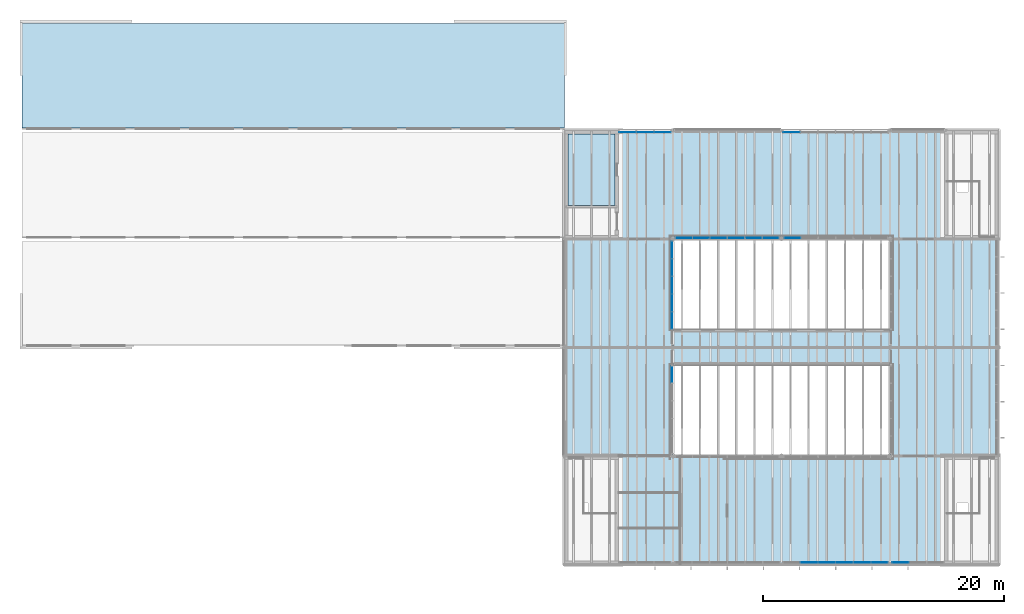
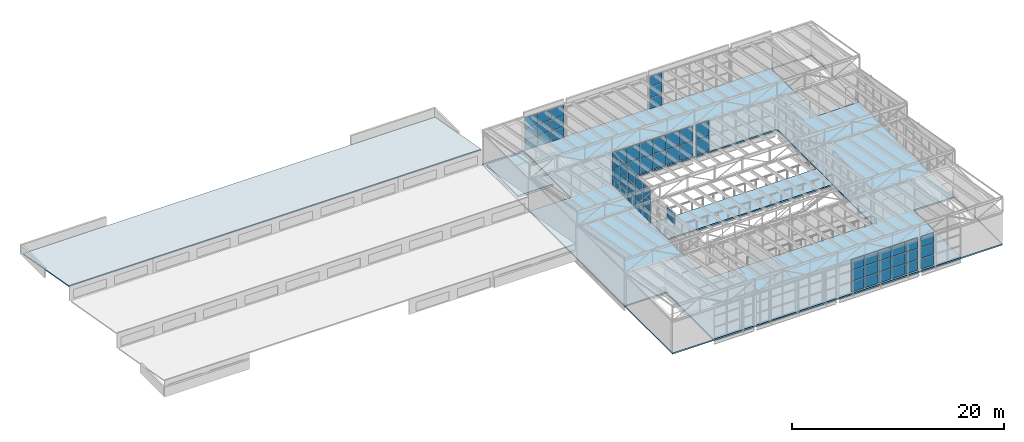
# One storey, part 31 of 44: 60 plates, 4 slabs, 8 elements without a shape of their own.
"""IFC4 building model written with IfcOpenShell, lengths in metres."""

from ifc_helpers import new_model, si_unit, direction, frame, origin, origin_2d, place, context, subcontext, project, spatial, polyline, rectangle, outline, extrude, material, layer, layer_set, type_object, element, aggregate, save


model = new_model("IFC4")

# Units and contexts
model_context = context("Model", 3, precision=1e-05, world=origin(), true_north=direction((0.0, 1.0)))
body_context = subcontext(model_context, "Body", "Model", "MODEL_VIEW")
ifc_project = project(units=[si_unit("LENGTHUNIT", "METRE"), si_unit("AREAUNIT", "SQUARE_METRE"), si_unit("VOLUMEUNIT", "CUBIC_METRE"), si_unit("PLANEANGLEUNIT", "RADIAN"), si_unit("MASSUNIT", "GRAM", prefix="KILO")], contexts=[model_context])

# Site, building, storey
site_placement = place(None, origin())
site = spatial("IfcSite", under=ifc_project, at=site_placement, CompositionType="ELEMENT")
building_placement = place(site_placement, origin())
building = spatial("IfcBuilding", under=site, at=building_placement, Name="Halyard Row Museum", CompositionType="ELEMENT")
storey_placement = place(building_placement, frame((0.0, 0.0, 21.199951171875)))
storey = spatial("IfcBuildingStorey", under=building, at=storey_placement, Name="L04", CompositionType="ELEMENT", Elevation=21.199951171875)

# Slabs
ifc_material_1 = material(Name="Concrete 40 MPa", Category="concrete")
ifc_layer_1 = layer(ifc_material_1, 0.1650390625)
ifc_layer_set_1 = layer_set([ifc_layer_1], Name="Concrete 40 MPa")
slab_type_1 = type_object("IfcSlabType", Name="Bridge deck 165 composite", PredefinedType="LANDING", material=ifc_layer_set_1)
slab_1_placement = place(storey_placement, frame((0.0, 0.0, -0.1650390625)))
element("IfcSlab", 1, at=slab_1_placement, inside=storey, type_object=slab_type_1, Name="BT2 deck", PredefinedType="LANDING", context=body_context, shape_type="SweptSolid", body=[
    extrude(outline(polyline([(81.0, 16.5), (99.0, 16.5), (99.0, 19.5), (81.0, 19.5), (81.0, 16.5)])), origin(), (0.0, 0.0, 1.0), 0.1650390625),
])
ifc_material_2 = material(Name="Concrete 40 MPa", Category="concrete")
ifc_layer_2 = layer(ifc_material_2, 0.1650390625)
ifc_layer_set_2 = layer_set([ifc_layer_2], Name="Concrete 40 MPa")
slab_type_2 = type_object("IfcSlabType", Name="Composite floor slab", PredefinedType="FLOOR", material=ifc_layer_set_2)
slab_2_placement = place(storey_placement, frame((0.0, 0.0, -0.1650390625)))
element("IfcSlab", 2, at=slab_2_placement, inside=storey, type_object=slab_type_2, Name="Floor slab L04-01", PredefinedType="FLOOR", context=body_context, shape_type="SweptSolid", body=[
    extrude(outline(polyline([(108.0, 36.0), (72.0, 36.0), (72.0, 0.0), (108.0, 0.0), (108.0, 36.0)]), holes=[polyline([(81.0, 9.0), (81.0, 27.0), (99.0, 27.0), (99.0, 9.0), (81.0, 9.0)]), polyline([(76.4951171875, 0.0048828125), (72.0048828125, 0.0048828125), (72.0048828125, 8.9951171875), (76.4951171875, 8.9951171875), (76.4951171875, 0.0048828125)]), polyline([(107.9951171875, 0.0048828125), (103.5048828125, 0.0048828125), (103.5048828125, 8.9951171875), (107.9951171875, 8.9951171875), (107.9951171875, 0.0048828125)]), polyline([(76.4951171875, 27.0048828125), (72.0048828125, 27.0048828125), (72.0048828125, 35.9951171875), (76.4951171875, 35.9951171875), (76.4951171875, 27.0048828125)]), polyline([(107.9951171875, 27.0048828125), (103.5048828125, 27.0048828125), (103.5048828125, 35.9951171875), (107.9951171875, 35.9951171875), (107.9951171875, 27.0048828125)])]), origin(), (0.0, 0.0, 1.0), 0.1650390625),
])
ifc_material_3 = material(Name="Concrete 40 MPa", Category="concrete")
ifc_layer_3 = layer(ifc_material_3, 0.25)
ifc_layer_set_3 = layer_set([ifc_layer_3], Name="Concrete 40 MPa")
slab_type_3 = type_object("IfcSlabType", Name="Core floor slab 250", PredefinedType="FLOOR", material=ifc_layer_set_3)
slab_3_placement = place(storey_placement, frame((0.0, 0.0, -0.25)))
element("IfcSlab", 3, at=slab_3_placement, inside=storey, type_object=slab_type_3, Name="Core floor K7 L04", PredefinedType="FLOOR", context=body_context, shape_type="SweptSolid", body=[
    extrude(outline(polyline([(76.199951171875, 35.699951171875), (72.300048828125, 35.699951171875), (72.300048828125, 29.75), (76.199951171875, 29.75), (76.199951171875, 35.699951171875)])), origin(), (0.0, 0.0, 1.0), 0.25),
])

# Curtain wall, plates
ifc_material_4 = material(Name="Double glazed unit, low-emissivity", Category="glass")
ifc_layer_4 = layer(ifc_material_4, 0.219970703125)
ifc_layer_set_4 = layer_set([ifc_layer_4], Name="Double glazed unit, low-emissivity")
curtain_wall_type_1 = type_object("IfcCurtainWallType", Name="Curtain wall unitised 220 deep", PredefinedType="NOTDEFINED", material=ifc_layer_set_4)
curtain_wall_1_placement = place(storey_placement, origin())
curtain_wall_1 = element("IfcCurtainWall", 4, at=curtain_wall_1_placement, inside=storey, type_object=curtain_wall_type_1, Name="Curtain wall CW057", PredefinedType="NOTDEFINED")
ifc_material_5 = material(Name="Double glazed unit, low-emissivity", Category="glass")
ifc_layer_5 = layer(ifc_material_5, 0.035888671875)
ifc_layer_set_5 = layer_set([ifc_layer_5], Name="Double glazed unit, low-emissivity")
plate_type_1 = type_object("IfcPlateType", Name="Curtain wall glazed panel CP3 36", PredefinedType="CURTAIN_PANEL", material=ifc_layer_set_5)
plate_1_placement = place(storey_placement, frame((92.293701171875, 0.159912109375, 0.06005859375), z_axis=(0.0, 0.0, 1.0), x_axis=(1.0, 0.0, 0.0)))
plate_1 = element("IfcPlate", 5, at=plate_1_placement, type_object=plate_type_1, Name="CW057 panel 2.1", PredefinedType="CURTAIN_PANEL", context=body_context, shape_type="SweptSolid", body=[
    extrude(rectangle(XDim=1.402587890625, YDim=0.035888671875, at=origin_2d()), origin(), (0.0, 0.0, 1.0), 1.20263671875),
])
plate_2_placement = place(storey_placement, frame((92.293701171875, 0.159912109375, 1.32275390625), z_axis=(0.0, 0.0, 1.0), x_axis=(1.0, 0.0, 0.0)))
plate_2 = element("IfcPlate", 6, at=plate_2_placement, type_object=plate_type_1, Name="CW057 panel 2.2", PredefinedType="CURTAIN_PANEL", context=body_context, shape_type="SweptSolid", body=[
    extrude(rectangle(XDim=1.402587890625, YDim=0.035888671875, at=origin_2d()), origin(), (0.0, 0.0, 1.0), 1.232666015625),
])
plate_3_placement = place(storey_placement, frame((92.293701171875, 0.159912109375, 2.615478515625), z_axis=(0.0, 0.0, 1.0), x_axis=(1.0, 0.0, 0.0)))
plate_3 = element("IfcPlate", 7, at=plate_3_placement, type_object=plate_type_1, Name="CW057 panel 2.3", PredefinedType="CURTAIN_PANEL", context=body_context, shape_type="SweptSolid", body=[
    extrude(rectangle(XDim=1.402587890625, YDim=0.035888671875, at=origin_2d()), origin(), (0.0, 0.0, 1.0), 1.20263671875),
])
plate_4_placement = place(storey_placement, frame((93.75634765625, 0.159912109375, 0.06005859375), z_axis=(0.0, 0.0, 1.0), x_axis=(1.0, 0.0, 0.0)))
plate_4 = element("IfcPlate", 8, at=plate_4_placement, type_object=plate_type_1, Name="CW057 panel 3.1", PredefinedType="CURTAIN_PANEL", context=body_context, shape_type="SweptSolid", body=[
    extrude(rectangle(XDim=1.402587890625, YDim=0.035888671875, at=origin_2d()), origin(), (0.0, 0.0, 1.0), 1.20263671875),
])
plate_5_placement = place(storey_placement, frame((93.75634765625, 0.159912109375, 1.32275390625), z_axis=(0.0, 0.0, 1.0), x_axis=(1.0, 0.0, 0.0)))
plate_5 = element("IfcPlate", 9, at=plate_5_placement, type_object=plate_type_1, Name="CW057 panel 3.2", PredefinedType="CURTAIN_PANEL", context=body_context, shape_type="SweptSolid", body=[
    extrude(rectangle(XDim=1.402587890625, YDim=0.035888671875, at=origin_2d()), origin(), (0.0, 0.0, 1.0), 1.232666015625),
])
plate_6_placement = place(storey_placement, frame((93.75634765625, 0.159912109375, 2.615478515625), z_axis=(0.0, 0.0, 1.0), x_axis=(1.0, 0.0, 0.0)))
plate_6 = element("IfcPlate", 10, at=plate_6_placement, type_object=plate_type_1, Name="CW057 panel 3.3", PredefinedType="CURTAIN_PANEL", context=body_context, shape_type="SweptSolid", body=[
    extrude(rectangle(XDim=1.402587890625, YDim=0.035888671875, at=origin_2d()), origin(), (0.0, 0.0, 1.0), 1.20263671875),
])
plate_7_placement = place(storey_placement, frame((95.21875, 0.159912109375, 0.06005859375), z_axis=(0.0, 0.0, 1.0), x_axis=(1.0, 0.0, 0.0)))
plate_7 = element("IfcPlate", 11, at=plate_7_placement, type_object=plate_type_1, Name="CW057 panel 4.1", PredefinedType="CURTAIN_PANEL", context=body_context, shape_type="SweptSolid", body=[
    extrude(rectangle(XDim=1.402587890625, YDim=0.035888671875, at=origin_2d()), origin(), (0.0, 0.0, 1.0), 1.20263671875),
])
plate_8_placement = place(storey_placement, frame((95.21875, 0.159912109375, 1.32275390625), z_axis=(0.0, 0.0, 1.0), x_axis=(1.0, 0.0, 0.0)))
plate_8 = element("IfcPlate", 12, at=plate_8_placement, type_object=plate_type_1, Name="CW057 panel 4.2", PredefinedType="CURTAIN_PANEL", context=body_context, shape_type="SweptSolid", body=[
    extrude(rectangle(XDim=1.402587890625, YDim=0.035888671875, at=origin_2d()), origin(), (0.0, 0.0, 1.0), 1.232666015625),
])
plate_9_placement = place(storey_placement, frame((95.21875, 0.159912109375, 2.615478515625), z_axis=(0.0, 0.0, 1.0), x_axis=(1.0, 0.0, 0.0)))
plate_9 = element("IfcPlate", 13, at=plate_9_placement, type_object=plate_type_1, Name="CW057 panel 4.3", PredefinedType="CURTAIN_PANEL", context=body_context, shape_type="SweptSolid", body=[
    extrude(rectangle(XDim=1.402587890625, YDim=0.035888671875, at=origin_2d()), origin(), (0.0, 0.0, 1.0), 1.20263671875),
])
plate_10_placement = place(storey_placement, frame((96.68115234375, 0.159912109375, 0.06005859375), z_axis=(0.0, 0.0, 1.0), x_axis=(1.0, 0.0, 0.0)))
plate_10 = element("IfcPlate", 14, at=plate_10_placement, type_object=plate_type_1, Name="CW057 panel 5.1", PredefinedType="CURTAIN_PANEL", context=body_context, shape_type="SweptSolid", body=[
    extrude(rectangle(XDim=1.402587890625, YDim=0.035888671875, at=origin_2d()), origin(), (0.0, 0.0, 1.0), 1.20263671875),
])
plate_11_placement = place(storey_placement, frame((96.68115234375, 0.159912109375, 1.32275390625), z_axis=(0.0, 0.0, 1.0), x_axis=(1.0, 0.0, 0.0)))
plate_11 = element("IfcPlate", 15, at=plate_11_placement, type_object=plate_type_1, Name="CW057 panel 5.2", PredefinedType="CURTAIN_PANEL", context=body_context, shape_type="SweptSolid", body=[
    extrude(rectangle(XDim=1.402587890625, YDim=0.035888671875, at=origin_2d()), origin(), (0.0, 0.0, 1.0), 1.232666015625),
])
plate_12_placement = place(storey_placement, frame((96.68115234375, 0.159912109375, 2.615478515625), z_axis=(0.0, 0.0, 1.0), x_axis=(1.0, 0.0, 0.0)))
plate_12 = element("IfcPlate", 16, at=plate_12_placement, type_object=plate_type_1, Name="CW057 panel 5.3", PredefinedType="CURTAIN_PANEL", context=body_context, shape_type="SweptSolid", body=[
    extrude(rectangle(XDim=1.402587890625, YDim=0.035888671875, at=origin_2d()), origin(), (0.0, 0.0, 1.0), 1.20263671875),
])
plate_13_placement = place(storey_placement, frame((98.128662109375, 0.159912109375, 0.06005859375), z_axis=(0.0, 0.0, 1.0), x_axis=(1.0, 0.0, 0.0)))
plate_13 = element("IfcPlate", 17, at=plate_13_placement, type_object=plate_type_1, Name="CW057 panel 6.1", PredefinedType="CURTAIN_PANEL", context=body_context, shape_type="SweptSolid", body=[
    extrude(rectangle(XDim=1.37255859375, YDim=0.035888671875, at=origin_2d()), origin(), (0.0, 0.0, 1.0), 1.20263671875),
])
plate_14_placement = place(storey_placement, frame((98.128662109375, 0.159912109375, 1.32275390625), z_axis=(0.0, 0.0, 1.0), x_axis=(1.0, 0.0, 0.0)))
plate_14 = element("IfcPlate", 18, at=plate_14_placement, type_object=plate_type_1, Name="CW057 panel 6.2", PredefinedType="CURTAIN_PANEL", context=body_context, shape_type="SweptSolid", body=[
    extrude(rectangle(XDim=1.37255859375, YDim=0.035888671875, at=origin_2d()), origin(), (0.0, 0.0, 1.0), 1.232666015625),
])
plate_15_placement = place(storey_placement, frame((98.128662109375, 0.159912109375, 2.615478515625), z_axis=(0.0, 0.0, 1.0), x_axis=(1.0, 0.0, 0.0)))
plate_15 = element("IfcPlate", 19, at=plate_15_placement, type_object=plate_type_1, Name="CW057 panel 6.3", PredefinedType="CURTAIN_PANEL", context=body_context, shape_type="SweptSolid", body=[
    extrude(rectangle(XDim=1.37255859375, YDim=0.035888671875, at=origin_2d()), origin(), (0.0, 0.0, 1.0), 1.20263671875),
])
aggregate(curtain_wall_1, [plate_1, plate_2, plate_3, plate_4, plate_5, plate_6, plate_7, plate_8, plate_9, plate_10, plate_11, plate_12, plate_13, plate_14, plate_15])

curtain_wall_2_placement = place(storey_placement, origin())
curtain_wall_2 = element("IfcCurtainWall", 20, at=curtain_wall_2_placement, inside=storey, type_object=curtain_wall_type_1, Name="Curtain wall CW058", PredefinedType="NOTDEFINED")
plate_16_placement = place(storey_placement, frame((99.869140625, 0.159912109375, 0.06005859375), z_axis=(0.0, 0.0, 1.0), x_axis=(1.0, 0.0, 0.0)))
plate_16 = element("IfcPlate", 21, at=plate_16_placement, type_object=plate_type_1, Name="CW058 panel 1.1", PredefinedType="CURTAIN_PANEL", context=body_context, shape_type="SweptSolid", body=[
    extrude(rectangle(XDim=1.368408203125, YDim=0.035888671875, at=origin_2d()), origin(), (0.0, 0.0, 1.0), 1.20263671875),
])
plate_17_placement = place(storey_placement, frame((99.869140625, 0.159912109375, 1.32275390625), z_axis=(0.0, 0.0, 1.0), x_axis=(1.0, 0.0, 0.0)))
plate_17 = element("IfcPlate", 22, at=plate_17_placement, type_object=plate_type_1, Name="CW058 panel 1.2", PredefinedType="CURTAIN_PANEL", context=body_context, shape_type="SweptSolid", body=[
    extrude(rectangle(XDim=1.368408203125, YDim=0.035888671875, at=origin_2d()), origin(), (0.0, 0.0, 1.0), 1.232666015625),
])
plate_18_placement = place(storey_placement, frame((99.869140625, 0.159912109375, 2.615478515625), z_axis=(0.0, 0.0, 1.0), x_axis=(1.0, 0.0, 0.0)))
plate_18 = element("IfcPlate", 23, at=plate_18_placement, type_object=plate_type_1, Name="CW058 panel 1.3", PredefinedType="CURTAIN_PANEL", context=body_context, shape_type="SweptSolid", body=[
    extrude(rectangle(XDim=1.368408203125, YDim=0.035888671875, at=origin_2d()), origin(), (0.0, 0.0, 1.0), 1.20263671875),
])
aggregate(curtain_wall_2, [plate_16, plate_17, plate_18])

curtain_wall_3_placement = place(storey_placement, origin())
curtain_wall_3 = element("IfcCurtainWall", 24, at=curtain_wall_3_placement, inside=storey, type_object=curtain_wall_type_1, Name="Curtain wall CW061", PredefinedType="NOTDEFINED")
plate_19_placement = place(storey_placement, frame((90.84619140625, 35.840087890625, 0.06005859375), z_axis=(0.0, 0.0, 1.0), x_axis=(-1.0, 0.0, 0.0)))
plate_19 = element("IfcPlate", 25, at=plate_19_placement, type_object=plate_type_1, Name="CW061 panel 6.1", PredefinedType="CURTAIN_PANEL", context=body_context, shape_type="SweptSolid", body=[
    extrude(rectangle(XDim=1.37255859375, YDim=0.035888671875, at=origin_2d()), origin(), (0.0, 0.0, 1.0), 1.20263671875),
])
plate_20_placement = place(storey_placement, frame((90.84619140625, 35.840087890625, 1.32275390625), z_axis=(0.0, 0.0, 1.0), x_axis=(-1.0, 0.0, 0.0)))
plate_20 = element("IfcPlate", 26, at=plate_20_placement, type_object=plate_type_1, Name="CW061 panel 6.2", PredefinedType="CURTAIN_PANEL", context=body_context, shape_type="SweptSolid", body=[
    extrude(rectangle(XDim=1.37255859375, YDim=0.035888671875, at=origin_2d()), origin(), (0.0, 0.0, 1.0), 1.232666015625),
])
plate_21_placement = place(storey_placement, frame((90.84619140625, 35.840087890625, 2.615478515625), z_axis=(0.0, 0.0, 1.0), x_axis=(-1.0, 0.0, 0.0)))
plate_21 = element("IfcPlate", 27, at=plate_21_placement, type_object=plate_type_1, Name="CW061 panel 6.3", PredefinedType="CURTAIN_PANEL", context=body_context, shape_type="SweptSolid", body=[
    extrude(rectangle(XDim=1.37255859375, YDim=0.035888671875, at=origin_2d()), origin(), (0.0, 0.0, 1.0), 1.20263671875),
])
aggregate(curtain_wall_3, [plate_19, plate_20, plate_21])

curtain_wall_4_placement = place(storey_placement, origin())
curtain_wall_4 = element("IfcCurtainWall", 28, at=curtain_wall_4_placement, inside=storey, type_object=curtain_wall_type_1, Name="Curtain wall CW062", PredefinedType="NOTDEFINED")
plate_22_placement = place(storey_placement, frame((80.130859375, 35.840087890625, 0.06005859375), z_axis=(0.0, 0.0, 1.0), x_axis=(-1.0, 0.0, 0.0)))
plate_22 = element("IfcPlate", 29, at=plate_22_placement, type_object=plate_type_1, Name="CW062 panel 1.1", PredefinedType="CURTAIN_PANEL", context=body_context, shape_type="SweptSolid", body=[
    extrude(rectangle(XDim=1.368408203125, YDim=0.035888671875, at=origin_2d()), origin(), (0.0, 0.0, 1.0), 1.20263671875),
])
plate_23_placement = place(storey_placement, frame((80.130859375, 35.840087890625, 1.32275390625), z_axis=(0.0, 0.0, 1.0), x_axis=(-1.0, 0.0, 0.0)))
plate_23 = element("IfcPlate", 30, at=plate_23_placement, type_object=plate_type_1, Name="CW062 panel 1.2", PredefinedType="CURTAIN_PANEL", context=body_context, shape_type="SweptSolid", body=[
    extrude(rectangle(XDim=1.368408203125, YDim=0.035888671875, at=origin_2d()), origin(), (0.0, 0.0, 1.0), 1.232666015625),
])
plate_24_placement = place(storey_placement, frame((80.130859375, 35.840087890625, 2.615478515625), z_axis=(0.0, 0.0, 1.0), x_axis=(-1.0, 0.0, 0.0)))
plate_24 = element("IfcPlate", 31, at=plate_24_placement, type_object=plate_type_1, Name="CW062 panel 1.3", PredefinedType="CURTAIN_PANEL", context=body_context, shape_type="SweptSolid", body=[
    extrude(rectangle(XDim=1.368408203125, YDim=0.035888671875, at=origin_2d()), origin(), (0.0, 0.0, 1.0), 1.20263671875),
])
plate_25_placement = place(storey_placement, frame((78.6875, 35.840087890625, 0.06005859375), z_axis=(0.0, 0.0, 1.0), x_axis=(-1.0, 0.0, 0.0)))
plate_25 = element("IfcPlate", 32, at=plate_25_placement, type_object=plate_type_1, Name="CW062 panel 2.1", PredefinedType="CURTAIN_PANEL", context=body_context, shape_type="SweptSolid", body=[
    extrude(rectangle(XDim=1.3984375, YDim=0.035888671875, at=origin_2d()), origin(), (0.0, 0.0, 1.0), 1.20263671875),
])
plate_26_placement = place(storey_placement, frame((78.6875, 35.840087890625, 1.32275390625), z_axis=(0.0, 0.0, 1.0), x_axis=(-1.0, 0.0, 0.0)))
plate_26 = element("IfcPlate", 33, at=plate_26_placement, type_object=plate_type_1, Name="CW062 panel 2.2", PredefinedType="CURTAIN_PANEL", context=body_context, shape_type="SweptSolid", body=[
    extrude(rectangle(XDim=1.3984375, YDim=0.035888671875, at=origin_2d()), origin(), (0.0, 0.0, 1.0), 1.232666015625),
])
plate_27_placement = place(storey_placement, frame((78.6875, 35.840087890625, 2.615478515625), z_axis=(0.0, 0.0, 1.0), x_axis=(-1.0, 0.0, 0.0)))
plate_27 = element("IfcPlate", 34, at=plate_27_placement, type_object=plate_type_1, Name="CW062 panel 2.3", PredefinedType="CURTAIN_PANEL", context=body_context, shape_type="SweptSolid", body=[
    extrude(rectangle(XDim=1.3984375, YDim=0.035888671875, at=origin_2d()), origin(), (0.0, 0.0, 1.0), 1.20263671875),
])
plate_28_placement = place(storey_placement, frame((77.244140625, 35.840087890625, 0.06005859375), z_axis=(0.0, 0.0, 1.0), x_axis=(-1.0, 0.0, 0.0)))
plate_28 = element("IfcPlate", 35, at=plate_28_placement, type_object=plate_type_1, Name="CW062 panel 3.1", PredefinedType="CURTAIN_PANEL", context=body_context, shape_type="SweptSolid", body=[
    extrude(rectangle(XDim=1.368408203125, YDim=0.035888671875, at=origin_2d()), origin(), (0.0, 0.0, 1.0), 1.20263671875),
])
plate_29_placement = place(storey_placement, frame((77.244140625, 35.840087890625, 1.32275390625), z_axis=(0.0, 0.0, 1.0), x_axis=(-1.0, 0.0, 0.0)))
plate_29 = element("IfcPlate", 36, at=plate_29_placement, type_object=plate_type_1, Name="CW062 panel 3.2", PredefinedType="CURTAIN_PANEL", context=body_context, shape_type="SweptSolid", body=[
    extrude(rectangle(XDim=1.368408203125, YDim=0.035888671875, at=origin_2d()), origin(), (0.0, 0.0, 1.0), 1.232666015625),
])
plate_30_placement = place(storey_placement, frame((77.244140625, 35.840087890625, 2.615478515625), z_axis=(0.0, 0.0, 1.0), x_axis=(-1.0, 0.0, 0.0)))
plate_30 = element("IfcPlate", 37, at=plate_30_placement, type_object=plate_type_1, Name="CW062 panel 3.3", PredefinedType="CURTAIN_PANEL", context=body_context, shape_type="SweptSolid", body=[
    extrude(rectangle(XDim=1.368408203125, YDim=0.035888671875, at=origin_2d()), origin(), (0.0, 0.0, 1.0), 1.20263671875),
])
aggregate(curtain_wall_4, [plate_22, plate_23, plate_24, plate_25, plate_26, plate_27, plate_28, plate_29, plate_30])

ifc_material_6 = material(Name="Fire-resisting laminated glazing", Category="glass")
ifc_layer_6 = layer(ifc_material_6, 0.159912109375)
ifc_layer_set_6 = layer_set([ifc_layer_6], Name="Fire-resisting laminated glazing")
curtain_wall_type_2 = type_object("IfcCurtainWallType", Name="Curtain wall atrium screen 160 deep", PredefinedType="NOTDEFINED", material=ifc_layer_set_6)
curtain_wall_5_placement = place(storey_placement, origin())
curtain_wall_5 = element("IfcCurtainWall", 38, at=curtain_wall_5_placement, inside=storey, type_object=curtain_wall_type_2, Name="Curtain wall CW106", PredefinedType="NOTDEFINED")
ifc_material_7 = material(Name="Fire-resisting laminated glazing", Category="glass")
ifc_layer_7 = layer(ifc_material_7, 0.0400390625)
ifc_layer_set_7 = layer_set([ifc_layer_7], Name="Fire-resisting laminated glazing")
plate_type_2 = type_object("IfcPlateType", Name="Curtain wall glazed panel CP5 40", PredefinedType="CURTAIN_PANEL", material=ifc_layer_set_7)
plate_31_placement = place(storey_placement, frame((90.898681640625, 27.080078125, 0.06005859375), z_axis=(0.0, 0.0, 1.0), x_axis=(-1.0, 0.0, 0.0)))
plate_31 = element("IfcPlate", 39, at=plate_31_placement, type_object=plate_type_2, Name="CW106 panel 6.1", PredefinedType="CURTAIN_PANEL", context=body_context, shape_type="SweptSolid", body=[
    extrude(rectangle(XDim=1.353271484375, YDim=0.0400390625, at=origin_2d()), origin(), (0.0, 0.0, 1.0), 1.7099609375),
])
plate_32_placement = place(storey_placement, frame((90.898681640625, 27.080078125, 1.830078125), z_axis=(0.0, 0.0, 1.0), x_axis=(-1.0, 0.0, 0.0)))
plate_32 = element("IfcPlate", 40, at=plate_32_placement, type_object=plate_type_2, Name="CW106 panel 6.2", PredefinedType="CURTAIN_PANEL", context=body_context, shape_type="SweptSolid", body=[
    extrude(rectangle(XDim=1.353271484375, YDim=0.0400390625, at=origin_2d()), origin(), (0.0, 0.0, 1.0), 1.7099609375),
])
aggregate(curtain_wall_5, [plate_31, plate_32])

curtain_wall_6_placement = place(storey_placement, origin())
curtain_wall_6 = element("IfcCurtainWall", 41, at=curtain_wall_6_placement, inside=storey, type_object=curtain_wall_type_2, Name="Curtain wall CW107", PredefinedType="NOTDEFINED")
plate_33_placement = place(storey_placement, frame((89.101318359375, 27.080078125, 0.06005859375), z_axis=(0.0, 0.0, 1.0), x_axis=(-1.0, 0.0, 0.0)))
plate_33 = element("IfcPlate", 42, at=plate_33_placement, type_object=plate_type_2, Name="CW107 panel 1.1", PredefinedType="CURTAIN_PANEL", context=body_context, shape_type="SweptSolid", body=[
    extrude(rectangle(XDim=1.353271484375, YDim=0.0400390625, at=origin_2d()), origin(), (0.0, 0.0, 1.0), 1.7099609375),
])
plate_34_placement = place(storey_placement, frame((89.101318359375, 27.080078125, 1.830078125), z_axis=(0.0, 0.0, 1.0), x_axis=(-1.0, 0.0, 0.0)))
plate_34 = element("IfcPlate", 43, at=plate_34_placement, type_object=plate_type_2, Name="CW107 panel 1.2", PredefinedType="CURTAIN_PANEL", context=body_context, shape_type="SweptSolid", body=[
    extrude(rectangle(XDim=1.353271484375, YDim=0.0400390625, at=origin_2d()), origin(), (0.0, 0.0, 1.0), 1.7099609375),
])
plate_35_placement = place(storey_placement, frame((87.673095703125, 27.080078125, 0.06005859375), z_axis=(0.0, 0.0, 1.0), x_axis=(-1.0, 0.0, 0.0)))
plate_35 = element("IfcPlate", 44, at=plate_35_placement, type_object=plate_type_2, Name="CW107 panel 2.1", PredefinedType="CURTAIN_PANEL", context=body_context, shape_type="SweptSolid", body=[
    extrude(rectangle(XDim=1.38330078125, YDim=0.0400390625, at=origin_2d()), origin(), (0.0, 0.0, 1.0), 1.7099609375),
])
plate_36_placement = place(storey_placement, frame((87.673095703125, 27.080078125, 1.830078125), z_axis=(0.0, 0.0, 1.0), x_axis=(-1.0, 0.0, 0.0)))
plate_36 = element("IfcPlate", 45, at=plate_36_placement, type_object=plate_type_2, Name="CW107 panel 2.2", PredefinedType="CURTAIN_PANEL", context=body_context, shape_type="SweptSolid", body=[
    extrude(rectangle(XDim=1.38330078125, YDim=0.0400390625, at=origin_2d()), origin(), (0.0, 0.0, 1.0), 1.7099609375),
])
plate_37_placement = place(storey_placement, frame((86.2294921875, 27.080078125, 0.06005859375), z_axis=(0.0, 0.0, 1.0), x_axis=(-1.0, 0.0, 0.0)))
plate_37 = element("IfcPlate", 46, at=plate_37_placement, type_object=plate_type_2, Name="CW107 panel 3.1", PredefinedType="CURTAIN_PANEL", context=body_context, shape_type="SweptSolid", body=[
    extrude(rectangle(XDim=1.38330078125, YDim=0.0400390625, at=origin_2d()), origin(), (0.0, 0.0, 1.0), 1.7099609375),
])
plate_38_placement = place(storey_placement, frame((86.2294921875, 27.080078125, 1.830078125), z_axis=(0.0, 0.0, 1.0), x_axis=(-1.0, 0.0, 0.0)))
plate_38 = element("IfcPlate", 47, at=plate_38_placement, type_object=plate_type_2, Name="CW107 panel 3.2", PredefinedType="CURTAIN_PANEL", context=body_context, shape_type="SweptSolid", body=[
    extrude(rectangle(XDim=1.38330078125, YDim=0.0400390625, at=origin_2d()), origin(), (0.0, 0.0, 1.0), 1.7099609375),
])
plate_39_placement = place(storey_placement, frame((84.7861328125, 27.080078125, 0.06005859375), z_axis=(0.0, 0.0, 1.0), x_axis=(-1.0, 0.0, 0.0)))
plate_39 = element("IfcPlate", 48, at=plate_39_placement, type_object=plate_type_2, Name="CW107 panel 4.1", PredefinedType="CURTAIN_PANEL", context=body_context, shape_type="SweptSolid", body=[
    extrude(rectangle(XDim=1.38330078125, YDim=0.0400390625, at=origin_2d()), origin(), (0.0, 0.0, 1.0), 1.7099609375),
])
plate_40_placement = place(storey_placement, frame((84.7861328125, 27.080078125, 1.830078125), z_axis=(0.0, 0.0, 1.0), x_axis=(-1.0, 0.0, 0.0)))
plate_40 = element("IfcPlate", 49, at=plate_40_placement, type_object=plate_type_2, Name="CW107 panel 4.2", PredefinedType="CURTAIN_PANEL", context=body_context, shape_type="SweptSolid", body=[
    extrude(rectangle(XDim=1.38330078125, YDim=0.0400390625, at=origin_2d()), origin(), (0.0, 0.0, 1.0), 1.7099609375),
])
plate_41_placement = place(storey_placement, frame((83.3427734375, 27.080078125, 0.06005859375), z_axis=(0.0, 0.0, 1.0), x_axis=(-1.0, 0.0, 0.0)))
plate_41 = element("IfcPlate", 50, at=plate_41_placement, type_object=plate_type_2, Name="CW107 panel 5.1", PredefinedType="CURTAIN_PANEL", context=body_context, shape_type="SweptSolid", body=[
    extrude(rectangle(XDim=1.38330078125, YDim=0.0400390625, at=origin_2d()), origin(), (0.0, 0.0, 1.0), 1.7099609375),
])
plate_42_placement = place(storey_placement, frame((83.3427734375, 27.080078125, 1.830078125), z_axis=(0.0, 0.0, 1.0), x_axis=(-1.0, 0.0, 0.0)))
plate_42 = element("IfcPlate", 51, at=plate_42_placement, type_object=plate_type_2, Name="CW107 panel 5.2", PredefinedType="CURTAIN_PANEL", context=body_context, shape_type="SweptSolid", body=[
    extrude(rectangle(XDim=1.38330078125, YDim=0.0400390625, at=origin_2d()), origin(), (0.0, 0.0, 1.0), 1.7099609375),
])
plate_43_placement = place(storey_placement, frame((81.91455078125, 27.080078125, 0.06005859375), z_axis=(0.0, 0.0, 1.0), x_axis=(-1.0, 0.0, 0.0)))
plate_43 = element("IfcPlate", 52, at=plate_43_placement, type_object=plate_type_2, Name="CW107 panel 6.1", PredefinedType="CURTAIN_PANEL", context=body_context, shape_type="SweptSolid", body=[
    extrude(rectangle(XDim=1.353271484375, YDim=0.0400390625, at=origin_2d()), origin(), (0.0, 0.0, 1.0), 1.7099609375),
])
plate_44_placement = place(storey_placement, frame((81.91455078125, 27.080078125, 1.830078125), z_axis=(0.0, 0.0, 1.0), x_axis=(-1.0, 0.0, 0.0)))
plate_44 = element("IfcPlate", 53, at=plate_44_placement, type_object=plate_type_2, Name="CW107 panel 6.2", PredefinedType="CURTAIN_PANEL", context=body_context, shape_type="SweptSolid", body=[
    extrude(rectangle(XDim=1.353271484375, YDim=0.0400390625, at=origin_2d()), origin(), (0.0, 0.0, 1.0), 1.7099609375),
])
aggregate(curtain_wall_6, [plate_33, plate_34, plate_35, plate_36, plate_37, plate_38, plate_39, plate_40, plate_41, plate_42, plate_43, plate_44])

curtain_wall_7_placement = place(storey_placement, origin())
curtain_wall_7 = element("IfcCurtainWall", 54, at=curtain_wall_7_placement, inside=storey, type_object=curtain_wall_type_2, Name="Curtain wall CW108", PredefinedType="NOTDEFINED")
plate_45_placement = place(storey_placement, frame((80.919921875, 26.074951171875, 0.06005859375), z_axis=(0.0, 0.0, 1.0), x_axis=(0.0, -1.0, 0.0)))
plate_45 = element("IfcPlate", 55, at=plate_45_placement, type_object=plate_type_2, Name="CW108 panel 1.1", PredefinedType="CURTAIN_PANEL", context=body_context, shape_type="SweptSolid", body=[
    extrude(rectangle(XDim=1.37451171875, YDim=0.0400390625, at=origin_2d()), origin(), (0.0, 0.0, 1.0), 1.20263671875),
])
plate_46_placement = place(storey_placement, frame((80.919921875, 26.074951171875, 1.32275390625), z_axis=(0.0, 0.0, 1.0), x_axis=(0.0, -1.0, 0.0)))
plate_46 = element("IfcPlate", 56, at=plate_46_placement, type_object=plate_type_2, Name="CW108 panel 1.2", PredefinedType="CURTAIN_PANEL", context=body_context, shape_type="SweptSolid", body=[
    extrude(rectangle(XDim=1.37451171875, YDim=0.0400390625, at=origin_2d()), origin(), (0.0, 0.0, 1.0), 1.232666015625),
])
plate_47_placement = place(storey_placement, frame((80.919921875, 26.074951171875, 2.615478515625), z_axis=(0.0, 0.0, 1.0), x_axis=(0.0, -1.0, 0.0)))
plate_47 = element("IfcPlate", 57, at=plate_47_placement, type_object=plate_type_2, Name="CW108 panel 1.3", PredefinedType="CURTAIN_PANEL", context=body_context, shape_type="SweptSolid", body=[
    extrude(rectangle(XDim=1.37451171875, YDim=0.0400390625, at=origin_2d()), origin(), (0.0, 0.0, 1.0), 1.20263671875),
])
plate_48_placement = place(storey_placement, frame((80.919921875, 24.62548828125, 0.06005859375), z_axis=(0.0, 0.0, 1.0), x_axis=(0.0, -1.0, 0.0)))
plate_48 = element("IfcPlate", 58, at=plate_48_placement, type_object=plate_type_2, Name="CW108 panel 2.1", PredefinedType="CURTAIN_PANEL", context=body_context, shape_type="SweptSolid", body=[
    extrude(rectangle(XDim=1.404541015625, YDim=0.0400390625, at=origin_2d()), origin(), (0.0, 0.0, 1.0), 1.20263671875),
])
plate_49_placement = place(storey_placement, frame((80.919921875, 24.62548828125, 1.32275390625), z_axis=(0.0, 0.0, 1.0), x_axis=(0.0, -1.0, 0.0)))
plate_49 = element("IfcPlate", 59, at=plate_49_placement, type_object=plate_type_2, Name="CW108 panel 2.2", PredefinedType="CURTAIN_PANEL", context=body_context, shape_type="SweptSolid", body=[
    extrude(rectangle(XDim=1.404541015625, YDim=0.0400390625, at=origin_2d()), origin(), (0.0, 0.0, 1.0), 1.232666015625),
])
plate_50_placement = place(storey_placement, frame((80.919921875, 24.62548828125, 2.615478515625), z_axis=(0.0, 0.0, 1.0), x_axis=(0.0, -1.0, 0.0)))
plate_50 = element("IfcPlate", 60, at=plate_50_placement, type_object=plate_type_2, Name="CW108 panel 2.3", PredefinedType="CURTAIN_PANEL", context=body_context, shape_type="SweptSolid", body=[
    extrude(rectangle(XDim=1.404541015625, YDim=0.0400390625, at=origin_2d()), origin(), (0.0, 0.0, 1.0), 1.20263671875),
])
plate_51_placement = place(storey_placement, frame((80.919921875, 23.1611328125, 0.06005859375), z_axis=(0.0, 0.0, 1.0), x_axis=(0.0, -1.0, 0.0)))
plate_51 = element("IfcPlate", 61, at=plate_51_placement, type_object=plate_type_2, Name="CW108 panel 3.1", PredefinedType="CURTAIN_PANEL", context=body_context, shape_type="SweptSolid", body=[
    extrude(rectangle(XDim=1.404541015625, YDim=0.0400390625, at=origin_2d()), origin(), (0.0, 0.0, 1.0), 1.20263671875),
])
plate_52_placement = place(storey_placement, frame((80.919921875, 23.1611328125, 1.32275390625), z_axis=(0.0, 0.0, 1.0), x_axis=(0.0, -1.0, 0.0)))
plate_52 = element("IfcPlate", 62, at=plate_52_placement, type_object=plate_type_2, Name="CW108 panel 3.2", PredefinedType="CURTAIN_PANEL", context=body_context, shape_type="SweptSolid", body=[
    extrude(rectangle(XDim=1.404541015625, YDim=0.0400390625, at=origin_2d()), origin(), (0.0, 0.0, 1.0), 1.232666015625),
])
plate_53_placement = place(storey_placement, frame((80.919921875, 23.1611328125, 2.615478515625), z_axis=(0.0, 0.0, 1.0), x_axis=(0.0, -1.0, 0.0)))
plate_53 = element("IfcPlate", 63, at=plate_53_placement, type_object=plate_type_2, Name="CW108 panel 3.3", PredefinedType="CURTAIN_PANEL", context=body_context, shape_type="SweptSolid", body=[
    extrude(rectangle(XDim=1.404541015625, YDim=0.0400390625, at=origin_2d()), origin(), (0.0, 0.0, 1.0), 1.20263671875),
])
plate_54_placement = place(storey_placement, frame((80.919921875, 21.69677734375, 0.06005859375), z_axis=(0.0, 0.0, 1.0), x_axis=(0.0, -1.0, 0.0)))
plate_54 = element("IfcPlate", 64, at=plate_54_placement, type_object=plate_type_2, Name="CW108 panel 4.1", PredefinedType="CURTAIN_PANEL", context=body_context, shape_type="SweptSolid", body=[
    extrude(rectangle(XDim=1.404541015625, YDim=0.0400390625, at=origin_2d()), origin(), (0.0, 0.0, 1.0), 1.20263671875),
])
plate_55_placement = place(storey_placement, frame((80.919921875, 21.69677734375, 1.32275390625), z_axis=(0.0, 0.0, 1.0), x_axis=(0.0, -1.0, 0.0)))
plate_55 = element("IfcPlate", 65, at=plate_55_placement, type_object=plate_type_2, Name="CW108 panel 4.2", PredefinedType="CURTAIN_PANEL", context=body_context, shape_type="SweptSolid", body=[
    extrude(rectangle(XDim=1.404541015625, YDim=0.0400390625, at=origin_2d()), origin(), (0.0, 0.0, 1.0), 1.232666015625),
])
plate_56_placement = place(storey_placement, frame((80.919921875, 21.69677734375, 2.615478515625), z_axis=(0.0, 0.0, 1.0), x_axis=(0.0, -1.0, 0.0)))
plate_56 = element("IfcPlate", 66, at=plate_56_placement, type_object=plate_type_2, Name="CW108 panel 4.3", PredefinedType="CURTAIN_PANEL", context=body_context, shape_type="SweptSolid", body=[
    extrude(rectangle(XDim=1.404541015625, YDim=0.0400390625, at=origin_2d()), origin(), (0.0, 0.0, 1.0), 1.20263671875),
])
plate_57_placement = place(storey_placement, frame((80.919921875, 20.247314453125, 0.06005859375), z_axis=(0.0, 0.0, 1.0), x_axis=(0.0, -1.0, 0.0)))
plate_57 = element("IfcPlate", 67, at=plate_57_placement, type_object=plate_type_2, Name="CW108 panel 5.1", PredefinedType="CURTAIN_PANEL", context=body_context, shape_type="SweptSolid", body=[
    extrude(rectangle(XDim=1.37451171875, YDim=0.0400390625, at=origin_2d()), origin(), (0.0, 0.0, 1.0), 1.20263671875),
])
plate_58_placement = place(storey_placement, frame((80.919921875, 20.247314453125, 1.32275390625), z_axis=(0.0, 0.0, 1.0), x_axis=(0.0, -1.0, 0.0)))
plate_58 = element("IfcPlate", 68, at=plate_58_placement, type_object=plate_type_2, Name="CW108 panel 5.2", PredefinedType="CURTAIN_PANEL", context=body_context, shape_type="SweptSolid", body=[
    extrude(rectangle(XDim=1.37451171875, YDim=0.0400390625, at=origin_2d()), origin(), (0.0, 0.0, 1.0), 1.232666015625),
])
plate_59_placement = place(storey_placement, frame((80.919921875, 20.247314453125, 2.615478515625), z_axis=(0.0, 0.0, 1.0), x_axis=(0.0, -1.0, 0.0)))
plate_59 = element("IfcPlate", 69, at=plate_59_placement, type_object=plate_type_2, Name="CW108 panel 5.3", PredefinedType="CURTAIN_PANEL", context=body_context, shape_type="SweptSolid", body=[
    extrude(rectangle(XDim=1.37451171875, YDim=0.0400390625, at=origin_2d()), origin(), (0.0, 0.0, 1.0), 1.20263671875),
])
aggregate(curtain_wall_7, [plate_45, plate_46, plate_47, plate_48, plate_49, plate_50, plate_51, plate_52, plate_53, plate_54, plate_55, plate_56, plate_57, plate_58, plate_59])

# Curtain wall, plate
curtain_wall_8_placement = place(storey_placement, origin())
curtain_wall_8 = element("IfcCurtainWall", 70, at=curtain_wall_8_placement, inside=storey, type_object=curtain_wall_type_2, Name="Curtain wall CW109", PredefinedType="NOTDEFINED")
plate_60_placement = place(storey_placement, frame((80.919921875, 15.752685546875, 2.615478515625), z_axis=(0.0, 0.0, 1.0), x_axis=(0.0, -1.0, 0.0)))
plate_60 = element("IfcPlate", 71, at=plate_60_placement, type_object=plate_type_2, Name="CW109 panel 1.3", PredefinedType="CURTAIN_PANEL", context=body_context, shape_type="SweptSolid", body=[
    extrude(rectangle(XDim=1.37451171875, YDim=0.0400390625, at=origin_2d()), origin(), (0.0, 0.0, 1.0), 1.20263671875),
])
aggregate(curtain_wall_8, [plate_60])

# Slab
ifc_material_8 = material(Name="Standing-seam roofing on insulated timber deck", Category="wood")
ifc_layer_8 = layer(ifc_material_8, 0.1201171875)
ifc_layer_set_8 = layer_set([ifc_layer_8], Name="Standing-seam roofing on insulated timber deck")
slab_type_4 = type_object("IfcSlabType", Name="Sawtooth roof slab 120 insulated deck", PredefinedType="ROOF", material=ifc_layer_set_8)
slab_4_placement = place(storey_placement, frame((27.0, 36.174560546875, 1.569091796875), z_axis=(0.0, 0.175043469349, 0.98456070602), x_axis=(1.0, 0.0, 0.0)))
element("IfcSlab", 72, at=slab_4_placement, inside=storey, type_object=slab_type_4, Name="Roof slab V1-T3a", PredefinedType="ROOF", context=body_context, shape_type="SweptSolid", body=[
    extrude(outline(polyline([(0.0, 0.0), (45.0, 0.0), (45.0, 8.821748442625461), (0.0, 8.821748442625461), (0.0, 0.0)])), origin(), (0.0, 0.0, -1.0), 0.1201171875),
])

save(model, "model.ifc")
